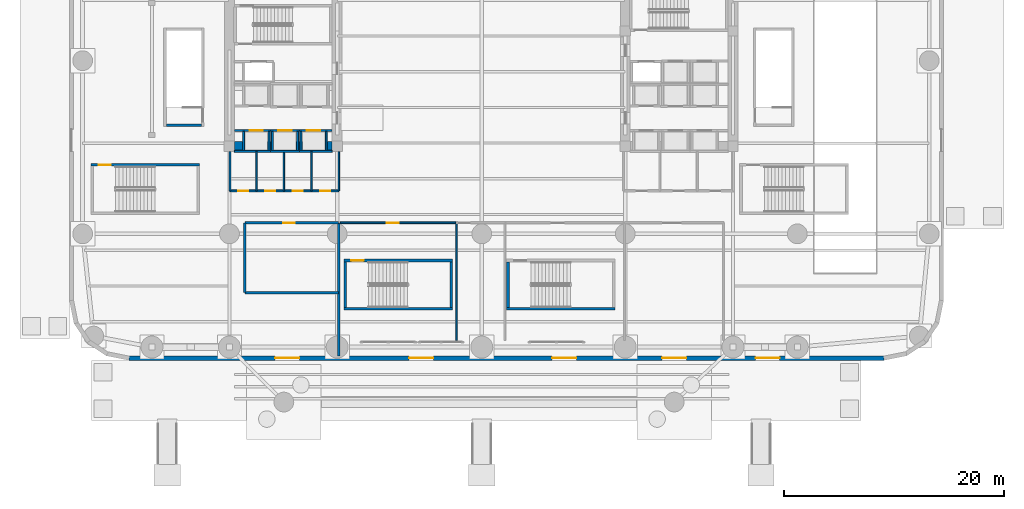
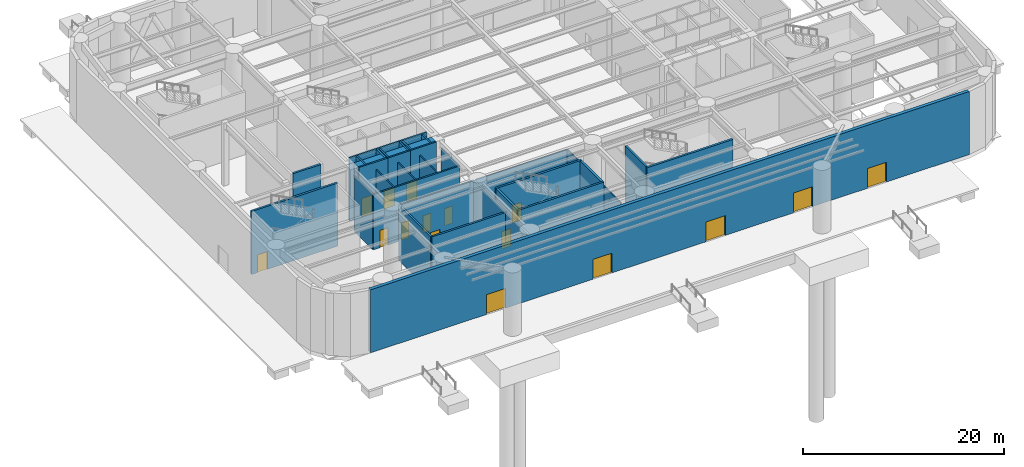
# One storey, part 9 of 25: 34 walls, 16 doors, 16 openings.
"""IFC4 building model written with IfcOpenShell, lengths in metres."""

from ifc_helpers import new_model, si_unit, direction, frame, frame_2d, origin, place, context, subcontext, project, spatial, rectangle, extrude, material, layer, layer_set, type_object, element, fill, save


model = new_model("IFC4")

# Units and contexts
model_context = context("Model", 3, precision=1e-05, world=origin(), true_north=direction((0.0, 1.0)))
body_context = subcontext(model_context, "Body", "Model", "MODEL_VIEW")
ifc_project = project(units=[si_unit("LENGTHUNIT", "METRE"), si_unit("AREAUNIT", "SQUARE_METRE"), si_unit("VOLUMEUNIT", "CUBIC_METRE"), si_unit("PLANEANGLEUNIT", "RADIAN"), si_unit("MASSUNIT", "GRAM", prefix="KILO")], contexts=[model_context])

# Site, building, storey
site_placement = place(None, origin())
site = spatial("IfcSite", under=ifc_project, at=site_placement, CompositionType="ELEMENT")
building_placement = place(site_placement, origin())
building = spatial("IfcBuilding", under=site, at=building_placement, Name="Kolvaren Arena Tower", CompositionType="ELEMENT")
storey_placement = place(building_placement, origin())
storey = spatial("IfcBuildingStorey", under=building, at=storey_placement, Name="L00", CompositionType="ELEMENT", Elevation=0.0)

# Wall, opening, door
ifc_material_1 = material(Name="Gypsum board acoustic assembly", Category="gypsum")
ifc_layer_1 = layer(ifc_material_1, 0.159912109375)
ifc_layer_set_1 = layer_set([ifc_layer_1], Name="Gypsum board acoustic assembly")
wall_type_1 = type_object("IfcWallType", Name="CORR-160", PredefinedType="PARTITIONING", material=ifc_layer_set_1)
wall_1_placement = place(storey_placement, frame((24.64990234375, 12.5, 0.0), z_axis=(0.0, 0.0, 1.0), x_axis=(1.0, 0.0, 0.0)))
wall_1 = element("IfcWall", 1, at=wall_1_placement, inside=storey, type_object=wall_type_1, Name="Interior Partition Wall (L00)", PredefinedType="PARTITIONING", context=body_context, shape_type="SweptSolid", body=[
    extrude(rectangle(XDim=10.5, YDim=0.159912109375, at=frame_2d((5.25, 0.0))), origin(), (0.0, 0.0, 1.0), 6.7099609375),
])
opening_1_placement = place(wall_1_placement, frame((4.199951171875, 0.0, 0.0)))
opening_1 = element("IfcOpeningElement", 2, at=opening_1_placement, cuts=wall_1, Name="Opening D03", PredefinedType="OPENING", context=body_context, shape_type="SweptSolid", body=[
    extrude(rectangle(XDim=1.10009765625, YDim=2.14990234375, at=frame_2d((0.550048828125, 1.074951171875))), frame((0.0, 0.08984375, 0.0), z_axis=(0.0, -1.0, 0.0), x_axis=(1.0, 0.0, 0.0)), (0.0, 0.0, 1.0), 0.179931640625),
])
ifc_material_2 = material(Name="Fire-rated steel exit stair door", Category="steel")
door_type_1 = type_object("IfcDoorType", Name="DOOR-ST-110", OperationType="NOTDEFINED", PredefinedType="DOOR", material=ifc_material_2)
door_1_placement = place(opening_1_placement, origin())
door_1 = element("IfcDoor", 3, at=door_1_placement, inside=storey, type_object=door_type_1, Name="South-West Exit Lobby Door", OperationType="SINGLE_SWING_RIGHT", OverallHeight=2.14990234375, OverallWidth=1.10009765625, PredefinedType="DOOR", context=body_context, shape_type="SweptSolid", body=[
    extrude(rectangle(XDim=1.10009765625, YDim=2.14990234375, at=frame_2d((0.550048828125, 1.074951171875))), frame((0.0, 0.02490234375, 0.0), z_axis=(0.0, -1.0, 0.0), x_axis=(1.0, 0.0, 0.0)), (0.0, 0.0, 1.0), 0.050048828125),
])
fill(opening_1, door_1)

# Wall
ifc_material_3 = material(Name="Concrete 80 MPa", Category="concrete")
ifc_layer_2 = layer(ifc_material_3, 0.89990234375)
ifc_layer_set_2 = layer_set([ifc_layer_2], Name="Concrete 80 MPa")
wall_type_2 = type_object("IfcWallType", Name="CWALL-900", PredefinedType="SHEAR", material=ifc_layer_set_2)
wall_2_placement = place(storey_placement, frame((15.0, 19.449951171875, -0.449951171875), z_axis=(0.0, 0.0, 1.0), x_axis=(1.0, 0.0, 0.0)))
element("IfcWall", 4, at=wall_2_placement, inside=storey, type_object=wall_type_2, Name="Core Shear Wall WC-SOUTH (L00)", PredefinedType="SHEAR", context=body_context, shape_type="SweptSolid", body=[
    extrude(rectangle(XDim=8.89990234375, YDim=0.89990234375, at=frame_2d((4.449951171875, 0.0))), origin(), (0.0, 0.0, 1.0), 8.099853515625),
])

# Wall, openings, doors
ifc_material_4 = material(Name="Precast concrete C50/60", Category="concrete")
ifc_layer_3 = layer(ifc_material_4, 0.3798828125)
ifc_layer_set_3 = layer_set([ifc_layer_3], Name="Precast concrete C50/60")
wall_type_3 = type_object("IfcWallType", Name="EXT-ARENA", PredefinedType="SOLIDWALL", material=ifc_layer_set_3)
wall_3_placement = place(storey_placement, frame((74.10009765625, 0.18994140625, 0.0), z_axis=(0.0, 0.0, 1.0), x_axis=(-1.0, 0.0, 0.0)))
wall_3 = element("IfcWall", 5, at=wall_3_placement, inside=storey, type_object=wall_type_3, Name="Exterior Precast Masonry-Frame Wall (L00)", PredefinedType="SOLIDWALL", context=body_context, shape_type="SweptSolid", body=[
    extrude(rectangle(XDim=68.7001953125, YDim=0.3798828125, at=frame_2d((34.35009765625, 0.0))), origin(), (0.0, 0.0, 1.0), 7.64990234375),
])
opening_2_placement = place(wall_3_placement, frame((53.199951171875, 0.0, 0.0)))
opening_2 = element("IfcOpeningElement", 6, at=opening_2_placement, cuts=wall_3, Name="Opening D01", PredefinedType="OPENING", context=body_context, shape_type="SweptSolid", body=[
    extrude(rectangle(XDim=2.199951171875, YDim=2.39990234375, at=frame_2d((1.10009765625, 1.199951171875))), frame((0.0, 0.199951171875, 0.0), z_axis=(0.0, -1.0, 0.0), x_axis=(1.0, 0.0, 0.0)), (0.0, 0.0, 1.0), 0.39990234375),
])
opening_3_placement = place(wall_3_placement, frame((41.0, 0.0, 0.0)))
opening_3 = element("IfcOpeningElement", 7, at=opening_3_placement, cuts=wall_3, Name="Opening D01", PredefinedType="OPENING", context=body_context, shape_type="SweptSolid", body=[
    extrude(rectangle(XDim=2.199951171875, YDim=2.39990234375, at=frame_2d((1.10009765625, 1.199951171875))), frame((0.0, 0.199951171875, 0.0), z_axis=(0.0, -1.0, 0.0), x_axis=(1.0, 0.0, 0.0)), (0.0, 0.0, 1.0), 0.39990234375),
])
opening_4_placement = place(wall_3_placement, frame((28.0, 0.0, 0.0)))
opening_4 = element("IfcOpeningElement", 8, at=opening_4_placement, cuts=wall_3, Name="Opening D01", PredefinedType="OPENING", context=body_context, shape_type="SweptSolid", body=[
    extrude(rectangle(XDim=2.199951171875, YDim=2.39990234375, at=frame_2d((1.10009765625, 1.199951171875))), frame((0.0, 0.199951171875, 0.0), z_axis=(0.0, -1.0, 0.0), x_axis=(1.0, 0.0, 0.0)), (0.0, 0.0, 1.0), 0.39990234375),
])
opening_5_placement = place(wall_3_placement, frame((18.0, 0.0, 0.0)))
opening_5 = element("IfcOpeningElement", 9, at=opening_5_placement, cuts=wall_3, Name="Opening D01", PredefinedType="OPENING", context=body_context, shape_type="SweptSolid", body=[
    extrude(rectangle(XDim=2.199951171875, YDim=2.39990234375, at=frame_2d((1.10009765625, 1.199951171875))), frame((0.0, 0.199951171875, 0.0), z_axis=(0.0, -1.0, 0.0), x_axis=(1.0, 0.0, 0.0)), (0.0, 0.0, 1.0), 0.39990234375),
])
opening_6_placement = place(wall_3_placement, frame((9.5, 0.0, 0.0)))
opening_6 = element("IfcOpeningElement", 10, at=opening_6_placement, cuts=wall_3, Name="Opening D01", PredefinedType="OPENING", context=body_context, shape_type="SweptSolid", body=[
    extrude(rectangle(XDim=2.199951171875, YDim=2.39990234375, at=frame_2d((1.10009765625, 1.199951171875))), frame((0.0, 0.199951171875, 0.0), z_axis=(0.0, -1.0, 0.0), x_axis=(1.0, 0.0, 0.0)), (0.0, 0.0, 1.0), 0.39990234375),
])
ifc_material_5 = material(Name="Aluminium thermally broken glazed entrance", Category="aluminium")
door_type_2 = type_object("IfcDoorType", Name="DOOR-EX-DBL", OperationType="DOUBLE_DOOR_SINGLE_SWING", PredefinedType="DOOR", material=ifc_material_5)
door_2_placement = place(opening_2_placement, origin())
door_2 = element("IfcDoor", 11, at=door_2_placement, inside=storey, type_object=door_type_2, Name="South Concourse Entrance and Final Exit Door S1", OperationType="DOUBLE_DOOR_SINGLE_SWING", OverallHeight=2.39990234375, OverallWidth=2.199951171875, PredefinedType="DOOR", context=body_context, shape_type="SweptSolid", body=[
    extrude(rectangle(XDim=2.199951171875, YDim=2.39990234375, at=frame_2d((1.10009765625, 1.199951171875))), frame((0.0, 0.02490234375, 0.0), z_axis=(0.0, -1.0, 0.0), x_axis=(1.0, 0.0, 0.0)), (0.0, 0.0, 1.0), 0.050048828125),
])
fill(opening_2, door_2)
door_3_placement = place(opening_3_placement, origin())
door_3 = element("IfcDoor", 12, at=door_3_placement, inside=storey, type_object=door_type_2, Name="South Concourse Entrance and Final Exit Door S2", OperationType="DOUBLE_DOOR_SINGLE_SWING", OverallHeight=2.39990234375, OverallWidth=2.199951171875, PredefinedType="DOOR", context=body_context, shape_type="SweptSolid", body=[
    extrude(rectangle(XDim=2.199951171875, YDim=2.39990234375, at=frame_2d((1.10009765625, 1.199951171875))), frame((0.0, 0.02490234375, 0.0), z_axis=(0.0, -1.0, 0.0), x_axis=(1.0, 0.0, 0.0)), (0.0, 0.0, 1.0), 0.050048828125),
])
fill(opening_3, door_3)
door_4_placement = place(opening_4_placement, origin())
door_4 = element("IfcDoor", 13, at=door_4_placement, inside=storey, type_object=door_type_2, Name="South Concourse Entrance and Final Exit Door S3", OperationType="DOUBLE_DOOR_SINGLE_SWING", OverallHeight=2.39990234375, OverallWidth=2.199951171875, PredefinedType="DOOR", context=body_context, shape_type="SweptSolid", body=[
    extrude(rectangle(XDim=2.199951171875, YDim=2.39990234375, at=frame_2d((1.10009765625, 1.199951171875))), frame((0.0, 0.02490234375, 0.0), z_axis=(0.0, -1.0, 0.0), x_axis=(1.0, 0.0, 0.0)), (0.0, 0.0, 1.0), 0.050048828125),
])
fill(opening_4, door_4)
door_5_placement = place(opening_5_placement, origin())
door_5 = element("IfcDoor", 14, at=door_5_placement, inside=storey, type_object=door_type_2, Name="South Concourse Entrance and Final Exit Door S4", OperationType="DOUBLE_DOOR_SINGLE_SWING", OverallHeight=2.39990234375, OverallWidth=2.199951171875, PredefinedType="DOOR", context=body_context, shape_type="SweptSolid", body=[
    extrude(rectangle(XDim=2.199951171875, YDim=2.39990234375, at=frame_2d((1.10009765625, 1.199951171875))), frame((0.0, 0.02490234375, 0.0), z_axis=(0.0, -1.0, 0.0), x_axis=(1.0, 0.0, 0.0)), (0.0, 0.0, 1.0), 0.050048828125),
])
fill(opening_5, door_5)
door_6_placement = place(opening_6_placement, origin())
door_6 = element("IfcDoor", 15, at=door_6_placement, inside=storey, type_object=door_type_2, Name="South Concourse Entrance and Final Exit Door S5", OperationType="DOUBLE_DOOR_SINGLE_SWING", OverallHeight=2.39990234375, OverallWidth=2.199951171875, PredefinedType="DOOR", context=body_context, shape_type="SweptSolid", body=[
    extrude(rectangle(XDim=2.199951171875, YDim=2.39990234375, at=frame_2d((1.10009765625, 1.199951171875))), frame((0.0, 0.02490234375, 0.0), z_axis=(0.0, -1.0, 0.0), x_axis=(1.0, 0.0, 0.0)), (0.0, 0.0, 1.0), 0.050048828125),
])
fill(opening_6, door_6)

# Wall
ifc_material_6 = material(Name="Gypsum board partition assembly", Category="gypsum")
ifc_layer_4 = layer(ifc_material_6, 0.135009765625)
ifc_layer_set_4 = layer_set([ifc_layer_4], Name="Gypsum board partition assembly")
wall_type_4 = type_object("IfcWallType", Name="PART-135", PredefinedType="PARTITIONING", material=ifc_layer_set_4)
wall_4_placement = place(storey_placement, frame((35.199951171875, 1.800048828125, 0.0), z_axis=(0.0, 0.0, 1.0), x_axis=(0.0, 1.0, 0.0)))
element("IfcWall", 16, at=wall_4_placement, inside=storey, type_object=wall_type_4, Name="Interior Partition Wall (L00)", PredefinedType="PARTITIONING", context=body_context, shape_type="SweptSolid", body=[
    extrude(rectangle(XDim=10.699951171875, YDim=0.135009765625, at=frame_2d((5.35009765625, 0.0))), origin(), (0.0, 0.0, 1.0), 6.7099609375),
])

# Wall, opening, door
ifc_material_7 = material(Name="Concrete 45 MPa", Category="concrete")
ifc_layer_5 = layer(ifc_material_7, 0.25)
ifc_layer_set_5 = layer_set([ifc_layer_5], Name="Concrete 45 MPa")
wall_type_5 = type_object("IfcWallType", Name="SHAFT-250", PredefinedType="SOLIDWALL", material=ifc_layer_set_5)
wall_5_placement = place(storey_placement, frame((1.9599609375, 17.77001953125, 0.0), z_axis=(0.0, 0.0, 1.0), x_axis=(1.0, 0.0, 0.0)))
wall_5 = element("IfcWall", 17, at=wall_5_placement, inside=storey, type_object=wall_type_5, Name="Stair ST-A1 Rated Enclosure Wall (L00)", PredefinedType="SOLIDWALL", context=body_context, shape_type="SweptSolid", body=[
    extrude(rectangle(XDim=9.880126953125, YDim=0.239990234375, at=frame_2d((4.93994140625, 0.0))), origin(), (0.0, 0.0, 1.0), 7.64990234375),
])
opening_7_placement = place(wall_5_placement, frame((0.68994140625, 0.0, 0.0)))
opening_7 = element("IfcOpeningElement", 18, at=opening_7_placement, cuts=wall_5, Name="Opening D03", PredefinedType="OPENING", context=body_context, shape_type="SweptSolid", body=[
    extrude(rectangle(XDim=1.10009765625, YDim=2.14990234375, at=frame_2d((0.550048828125, 1.074951171875))), frame((0.0, 0.1298828125, 0.0), z_axis=(0.0, -1.0, 0.0), x_axis=(1.0, 0.0, 0.0)), (0.0, 0.0, 1.0), 0.260009765625),
])
door_7_placement = place(opening_7_placement, origin())
door_7 = element("IfcDoor", 19, at=door_7_placement, inside=storey, type_object=door_type_1, Name="Exit Stair ST-A1 Fire Door (L00)", OperationType="SINGLE_SWING_LEFT", OverallHeight=2.14990234375, OverallWidth=1.10009765625, PredefinedType="DOOR", context=body_context, shape_type="SweptSolid", body=[
    extrude(rectangle(XDim=1.10009765625, YDim=2.14990234375, at=frame_2d((0.550048828125, 1.074951171875))), frame((0.0, 0.02490234375, 0.0), z_axis=(0.0, -1.0, 0.0), x_axis=(1.0, 0.0, 0.0)), (0.0, 0.0, 1.0), 0.050048828125),
])
fill(opening_7, door_7)

wall_6_placement = place(storey_placement, frame((24.9599609375, 9.070068359375, 0.0), z_axis=(0.0, 0.0, 1.0), x_axis=(1.0, 0.0, 0.0)))
wall_6 = element("IfcWall", 20, at=wall_6_placement, inside=storey, type_object=wall_type_5, Name="Stair ST-A2 Rated Enclosure Wall (L00)", PredefinedType="SOLIDWALL", context=body_context, shape_type="SweptSolid", body=[
    extrude(rectangle(XDim=9.880126953125, YDim=0.239990234375, at=frame_2d((4.93994140625, 0.0))), origin(), (0.0, 0.0, 1.0), 7.64990234375),
])
opening_8_placement = place(wall_6_placement, frame((0.68994140625, 0.0, 0.0)))
opening_8 = element("IfcOpeningElement", 21, at=opening_8_placement, cuts=wall_6, Name="Opening D03", PredefinedType="OPENING", context=body_context, shape_type="SweptSolid", body=[
    extrude(rectangle(XDim=1.10009765625, YDim=2.14990234375, at=frame_2d((0.550048828125, 1.074951171875))), frame((0.0, 0.1298828125, 0.0), z_axis=(0.0, -1.0, 0.0), x_axis=(1.0, 0.0, 0.0)), (0.0, 0.0, 1.0), 0.260009765625),
])
door_8_placement = place(opening_8_placement, origin())
door_8 = element("IfcDoor", 22, at=door_8_placement, inside=storey, type_object=door_type_1, Name="Exit Stair ST-A2 Fire Door (L00)", OperationType="SINGLE_SWING_LEFT", OverallHeight=2.14990234375, OverallWidth=1.10009765625, PredefinedType="DOOR", context=body_context, shape_type="SweptSolid", body=[
    extrude(rectangle(XDim=1.10009765625, YDim=2.14990234375, at=frame_2d((0.550048828125, 1.074951171875))), frame((0.0, 0.02490234375, 0.0), z_axis=(0.0, -1.0, 0.0), x_axis=(1.0, 0.0, 0.0)), (0.0, 0.0, 1.0), 0.050048828125),
])
fill(opening_8, door_8)

# Walls
wall_7_placement = place(storey_placement, frame((24.9599609375, 4.679931640625, 0.0), z_axis=(0.0, 0.0, 1.0), x_axis=(1.0, 0.0, 0.0)))
element("IfcWall", 23, at=wall_7_placement, inside=storey, type_object=wall_type_5, Name="Stair ST-A2 Rear Shaft Wall (L00)", PredefinedType="SOLIDWALL", context=body_context, shape_type="SweptSolid", body=[
    extrude(rectangle(XDim=9.880126953125, YDim=0.239990234375, at=frame_2d((4.93994140625, 0.0))), origin(), (0.0, 0.0, 1.0), 7.64990234375),
])
for number, where, z_axis, x_axis, name in (
    (24, (25.080078125, 4.800048828125, 0.0), (0.0, 0.0, 1.0), (0.0, 1.0, 0.0), "Stair ST-A2 West Shaft Wall (L00)"),
    (25, (34.719970703125, 4.800048828125, 0.0), (0.0, 0.0, 1.0), (0.0, 1.0, 0.0), "Stair ST-A2 East Shaft Wall (L00)"),
):
    element("IfcWall", number, at=place(storey_placement, frame(where, z_axis=z_axis, x_axis=x_axis)), inside=storey, type_object=wall_type_5, Name=name, PredefinedType="SOLIDWALL", context=body_context, shape_type="SweptSolid", body=[
        extrude(rectangle(XDim=4.14990234375, YDim=0.239990234375, at=frame_2d((2.074951171875, 0.0))), origin(), (0.0, 0.0, 1.0), 7.64990234375),
    ])
wall_8_placement = place(storey_placement, frame((39.760009765625, 4.679931640625, 0.0), z_axis=(0.0, 0.0, 1.0), x_axis=(1.0, 0.0, 0.0)))
element("IfcWall", 26, at=wall_8_placement, inside=storey, type_object=wall_type_5, Name="Stair ST-A3 Rear Shaft Wall (L00)", PredefinedType="SOLIDWALL", context=body_context, shape_type="SweptSolid", body=[
    extrude(rectangle(XDim=9.8798828125, YDim=0.239990234375, at=frame_2d((4.93994140625, 0.0))), origin(), (0.0, 0.0, 1.0), 7.64990234375),
])
wall_9_placement = place(storey_placement, frame((39.8798828125, 4.800048828125, 0.0), z_axis=(0.0, 0.0, 1.0), x_axis=(0.0, 1.0, 0.0)))
element("IfcWall", 27, at=wall_9_placement, inside=storey, type_object=wall_type_5, Name="Stair ST-A3 West Shaft Wall (L00)", PredefinedType="SOLIDWALL", context=body_context, shape_type="SweptSolid", body=[
    extrude(rectangle(XDim=4.14990234375, YDim=0.239990234375, at=frame_2d((2.074951171875, 0.0))), origin(), (0.0, 0.0, 1.0), 7.64990234375),
])
wall_10_placement = place(storey_placement, frame((8.81005859375, 21.3798828125, 0.0), z_axis=(0.0, 0.0, 1.0), x_axis=(1.0, 0.0, 0.0)))
element("IfcWall", 28, at=wall_10_placement, inside=storey, type_object=wall_type_5, Name="Stair ST-B1 South Shaft Wall (L00)", PredefinedType="SOLIDWALL", context=body_context, shape_type="SweptSolid", body=[
    extrude(rectangle(XDim=3.18994140625, YDim=0.239990234375, at=frame_2d((1.594970703125, 0.0))), origin(), (0.0, 0.0, 1.0), 7.64990234375),
])

# Wall, opening, door
wall_11_placement = place(storey_placement, frame((15.0, 20.905029296875, 0.0), z_axis=(0.0, 0.0, 1.0), x_axis=(1.0, 0.0, 0.0)))
wall_11 = element("IfcWall", 29, at=wall_11_placement, inside=storey, type_object=wall_type_5, Name="Core Shaft Wall (L00)", PredefinedType="SOLIDWALL", context=body_context, shape_type="SweptSolid", body=[
    extrude(rectangle(XDim=3.300048828125, YDim=0.179931640625, at=frame_2d((1.64990234375, 0.0))), origin(), (0.0, 0.0, 1.0), 7.64990234375),
])
opening_9_placement = place(wall_11_placement, frame((1.39990234375, 0.0, 0.0)))
opening_9 = element("IfcOpeningElement", 30, at=opening_9_placement, cuts=wall_11, Name="Opening LD1", PredefinedType="OPENING", context=body_context, shape_type="SweptSolid", body=[
    extrude(rectangle(XDim=1.199951171875, YDim=2.199951171875, at=frame_2d((0.60009765625, 1.10009765625))), frame((0.0, 0.099853515625, 0.0), z_axis=(0.0, -1.0, 0.0), x_axis=(1.0, 0.0, 0.0)), (0.0, 0.0, 1.0), 0.199951171875),
])
ifc_material_8 = material(Name="Stainless steel passenger lift landing door", Category="steel")
door_type_3 = type_object("IfcDoorType", Name="DOOR-LD-120", OperationType="DOUBLE_DOOR_SLIDING", PredefinedType="DOOR", material=ifc_material_8)
door_9_placement = place(opening_9_placement, origin())
door_9 = element("IfcDoor", 31, at=door_9_placement, inside=storey, type_object=door_type_3, Name="Lift EL-MR1 Landing Door (L00)", OperationType="DOUBLE_DOOR_SLIDING", OverallHeight=2.199951171875, OverallWidth=1.199951171875, PredefinedType="DOOR", context=body_context, shape_type="SweptSolid", body=[
    extrude(rectangle(XDim=1.199951171875, YDim=2.199951171875, at=frame_2d((0.60009765625, 1.10009765625))), frame((0.0, 0.02490234375, 0.0), z_axis=(0.0, -1.0, 0.0), x_axis=(1.0, 0.0, 0.0)), (0.0, 0.0, 1.0), 0.050048828125),
])
fill(opening_9, door_9)

# Walls
wall_12_placement = place(storey_placement, frame((15.0, 18.9951171875, 0.0), z_axis=(0.0, 0.0, 1.0), x_axis=(1.0, 0.0, 0.0)))
element("IfcWall", 32, at=wall_12_placement, inside=storey, type_object=wall_type_5, Name="Core Shaft Wall (L00)", PredefinedType="SOLIDWALL", context=body_context, shape_type="SweptSolid", body=[
    extrude(rectangle(XDim=3.300048828125, YDim=0.179931640625, at=frame_2d((1.64990234375, 0.0))), origin(), (0.0, 0.0, 1.0), 7.64990234375),
])
for number, where, z_axis, x_axis, name in (
    (33, (15.844970703125, 19.0849609375, 0.0), (0.0, 0.0, 1.0), (0.0, 1.0, 0.0), "Core Shaft Wall (L00)"),
    (34, (18.155029296875, 19.0849609375, 0.0), (0.0, 0.0, 1.0), (0.0, 1.0, 0.0), "Core Shaft Wall (L00)"),
):
    element("IfcWall", number, at=place(storey_placement, frame(where, z_axis=z_axis, x_axis=x_axis)), inside=storey, type_object=wall_type_5, Name=name, PredefinedType="SOLIDWALL", context=body_context, shape_type="SweptSolid", body=[
        extrude(rectangle(XDim=1.72998046875, YDim=0.179931640625, at=frame_2d((0.864990234375, 0.0))), origin(), (0.0, 0.0, 1.0), 7.64990234375),
    ])

# Wall, opening, door
wall_13_placement = place(storey_placement, frame((18.300048828125, 20.905029296875, 0.0), z_axis=(0.0, 0.0, 1.0), x_axis=(1.0, 0.0, 0.0)))
wall_13 = element("IfcWall", 35, at=wall_13_placement, inside=storey, type_object=wall_type_5, Name="Core Shaft Wall (L00)", PredefinedType="SOLIDWALL", context=body_context, shape_type="SweptSolid", body=[
    extrude(rectangle(XDim=2.599853515625, YDim=0.179931640625, at=frame_2d((1.2998046875, 0.0))), origin(), (0.0, 0.0, 1.0), 7.64990234375),
])
opening_10_placement = place(wall_13_placement, frame((0.699951171875, 0.0, 0.0)))
opening_10 = element("IfcOpeningElement", 36, at=opening_10_placement, cuts=wall_13, Name="Opening LD1", PredefinedType="OPENING", context=body_context, shape_type="SweptSolid", body=[
    extrude(rectangle(XDim=1.199951171875, YDim=2.199951171875, at=frame_2d((0.60009765625, 1.10009765625))), frame((0.0, 0.099853515625, 0.0), z_axis=(0.0, -1.0, 0.0), x_axis=(1.0, 0.0, 0.0)), (0.0, 0.0, 1.0), 0.199951171875),
])
door_10_placement = place(opening_10_placement, origin())
door_10 = element("IfcDoor", 37, at=door_10_placement, inside=storey, type_object=door_type_3, Name="Lift EL-MR2 Landing Door (L00)", OperationType="DOUBLE_DOOR_SLIDING", OverallHeight=2.199951171875, OverallWidth=1.199951171875, PredefinedType="DOOR", context=body_context, shape_type="SweptSolid", body=[
    extrude(rectangle(XDim=1.199951171875, YDim=2.199951171875, at=frame_2d((0.60009765625, 1.10009765625))), frame((0.0, 0.02490234375, 0.0), z_axis=(0.0, -1.0, 0.0), x_axis=(1.0, 0.0, 0.0)), (0.0, 0.0, 1.0), 0.050048828125),
])
fill(opening_10, door_10)

# Walls
wall_14_placement = place(storey_placement, frame((18.300048828125, 18.9951171875, 0.0), z_axis=(0.0, 0.0, 1.0), x_axis=(1.0, 0.0, 0.0)))
element("IfcWall", 38, at=wall_14_placement, inside=storey, type_object=wall_type_5, Name="Core Shaft Wall (L00)", PredefinedType="SOLIDWALL", context=body_context, shape_type="SweptSolid", body=[
    extrude(rectangle(XDim=2.599853515625, YDim=0.179931640625, at=frame_2d((1.2998046875, 0.0))), origin(), (0.0, 0.0, 1.0), 7.64990234375),
])
for number, where, z_axis, x_axis, name in (
    (39, (18.445068359375, 19.0849609375, 0.0), (0.0, 0.0, 1.0), (0.0, 1.0, 0.0), "Core Shaft Wall (L00)"),
    (40, (20.7548828125, 19.0849609375, 0.0), (0.0, 0.0, 1.0), (0.0, 1.0, 0.0), "Core Shaft Wall (L00)"),
):
    element("IfcWall", number, at=place(storey_placement, frame(where, z_axis=z_axis, x_axis=x_axis)), inside=storey, type_object=wall_type_5, Name=name, PredefinedType="SOLIDWALL", context=body_context, shape_type="SweptSolid", body=[
        extrude(rectangle(XDim=1.72998046875, YDim=0.179931640625, at=frame_2d((0.864990234375, 0.0))), origin(), (0.0, 0.0, 1.0), 7.64990234375),
    ])

# Wall, opening, door
wall_15_placement = place(storey_placement, frame((20.89990234375, 20.905029296875, 0.0), z_axis=(0.0, 0.0, 1.0), x_axis=(1.0, 0.0, 0.0)))
wall_15 = element("IfcWall", 41, at=wall_15_placement, inside=storey, type_object=wall_type_5, Name="Core Shaft Wall (L00)", PredefinedType="SOLIDWALL", context=body_context, shape_type="SweptSolid", body=[
    extrude(rectangle(XDim=3.0, YDim=0.179931640625, at=frame_2d((1.5, 0.0))), origin(), (0.0, 0.0, 1.0), 7.64990234375),
])
opening_11_placement = place(wall_15_placement, frame((0.699951171875, 0.0, 0.0)))
opening_11 = element("IfcOpeningElement", 42, at=opening_11_placement, cuts=wall_15, Name="Opening LD1", PredefinedType="OPENING", context=body_context, shape_type="SweptSolid", body=[
    extrude(rectangle(XDim=1.199951171875, YDim=2.199951171875, at=frame_2d((0.60009765625, 1.10009765625))), frame((0.0, 0.099853515625, 0.0), z_axis=(0.0, -1.0, 0.0), x_axis=(1.0, 0.0, 0.0)), (0.0, 0.0, 1.0), 0.199951171875),
])
door_11_placement = place(opening_11_placement, origin())
door_11 = element("IfcDoor", 43, at=door_11_placement, inside=storey, type_object=door_type_3, Name="Lift EL-MR3 Landing Door (L00)", OperationType="DOUBLE_DOOR_SLIDING", OverallHeight=2.199951171875, OverallWidth=1.199951171875, PredefinedType="DOOR", context=body_context, shape_type="SweptSolid", body=[
    extrude(rectangle(XDim=1.199951171875, YDim=2.199951171875, at=frame_2d((0.60009765625, 1.10009765625))), frame((0.0, 0.02490234375, 0.0), z_axis=(0.0, -1.0, 0.0), x_axis=(1.0, 0.0, 0.0)), (0.0, 0.0, 1.0), 0.050048828125),
])
fill(opening_11, door_11)

# Walls
wall_16_placement = place(storey_placement, frame((20.89990234375, 18.9951171875, 0.0), z_axis=(0.0, 0.0, 1.0), x_axis=(1.0, 0.0, 0.0)))
element("IfcWall", 44, at=wall_16_placement, inside=storey, type_object=wall_type_5, Name="Core Shaft Wall (L00)", PredefinedType="SOLIDWALL", context=body_context, shape_type="SweptSolid", body=[
    extrude(rectangle(XDim=3.0, YDim=0.179931640625, at=frame_2d((1.5, 0.0))), origin(), (0.0, 0.0, 1.0), 7.64990234375),
])
for number, where, z_axis, x_axis, name in (
    (45, (21.044921875, 19.0849609375, 0.0), (0.0, 0.0, 1.0), (0.0, 1.0, 0.0), "Core Shaft Wall (L00)"),
    (46, (23.35498046875, 19.0849609375, 0.0), (0.0, 0.0, 1.0), (0.0, 1.0, 0.0), "Core Shaft Wall (L00)"),
):
    element("IfcWall", number, at=place(storey_placement, frame(where, z_axis=z_axis, x_axis=x_axis)), inside=storey, type_object=wall_type_5, Name=name, PredefinedType="SOLIDWALL", context=body_context, shape_type="SweptSolid", body=[
        extrude(rectangle(XDim=1.72998046875, YDim=0.179931640625, at=frame_2d((0.864990234375, 0.0))), origin(), (0.0, 0.0, 1.0), 7.64990234375),
    ])

# Wall, opening, door
wall_17_placement = place(storey_placement, frame((15.949951171875, 12.5, 0.0), z_axis=(0.0, 0.0, 1.0), x_axis=(1.0, 0.0, 0.0)))
wall_17 = element("IfcWall", 47, at=wall_17_placement, inside=storey, type_object=wall_type_5, Name="Interior Partition Wall (L00)", PredefinedType="SOLIDWALL", context=body_context, shape_type="SweptSolid", body=[
    extrude(rectangle(XDim=8.530029296875, YDim=0.219970703125, at=frame_2d((4.26513671875, 0.0))), origin(), (0.0, 0.0, 1.0), 6.7099609375),
])
opening_12_placement = place(wall_17_placement, frame((3.5, 0.0, 0.0)))
opening_12 = element("IfcOpeningElement", 48, at=opening_12_placement, cuts=wall_17, Name="Opening D04", PredefinedType="OPENING", context=body_context, shape_type="SweptSolid", body=[
    extrude(rectangle(XDim=1.050048828125, YDim=2.14990234375, at=frame_2d((0.52490234375, 1.074951171875))), frame((0.0, 0.119873046875, 0.0), z_axis=(0.0, -1.0, 0.0), x_axis=(1.0, 0.0, 0.0)), (0.0, 0.0, 1.0), 0.239990234375),
])
ifc_material_9 = material(Name="Fire-rated steel lobby door", Category="steel")
door_type_4 = type_object("IfcDoorType", Name="DOOR-FF-105", OperationType="NOTDEFINED", PredefinedType="DOOR", material=ifc_material_9)
door_12_placement = place(opening_12_placement, origin())
door_12 = element("IfcDoor", 49, at=door_12_placement, inside=storey, type_object=door_type_4, Name="CACF Command Room Fire Door", OperationType="SINGLE_SWING_LEFT", OverallHeight=2.14990234375, OverallWidth=1.050048828125, PredefinedType="DOOR", context=body_context, shape_type="SweptSolid", body=[
    extrude(rectangle(XDim=1.050048828125, YDim=2.14990234375, at=frame_2d((0.52490234375, 1.074951171875))), frame((0.0, 0.02490234375, 0.0), z_axis=(0.0, -1.0, 0.0), x_axis=(1.0, 0.0, 0.0)), (0.0, 0.0, 1.0), 0.050048828125),
])
fill(opening_12, door_12)

# Walls
wall_18_placement = place(storey_placement, frame((15.949951171875, 6.14990234375, 0.0), z_axis=(0.0, 0.0, 1.0), x_axis=(1.0, 0.0, 0.0)))
element("IfcWall", 50, at=wall_18_placement, inside=storey, type_object=wall_type_5, Name="Interior Partition Wall (L00)", PredefinedType="SOLIDWALL", context=body_context, shape_type="SweptSolid", body=[
    extrude(rectangle(XDim=8.530029296875, YDim=0.219970703125, at=frame_2d((4.26513671875, 0.0))), origin(), (0.0, 0.0, 1.0), 6.7099609375),
])
wall_19_placement = place(storey_placement, frame((15.949951171875, 6.14990234375, 0.0), z_axis=(0.0, 0.0, 1.0), x_axis=(0.0, 1.0, 0.0)))
element("IfcWall", 51, at=wall_19_placement, inside=storey, type_object=wall_type_5, Name="Interior Partition Wall (L00)", PredefinedType="SOLIDWALL", context=body_context, shape_type="SweptSolid", body=[
    extrude(rectangle(XDim=6.35009765625, YDim=0.219970703125, at=frame_2d((3.175048828125, 0.0))), origin(), (0.0, 0.0, 1.0), 6.7099609375),
])
wall_20_placement = place(storey_placement, frame((24.47998046875, 0.39990234375, 0.0), z_axis=(0.0, 0.0, 1.0), x_axis=(0.0, 1.0, 0.0)))
element("IfcWall", 52, at=wall_20_placement, inside=storey, type_object=wall_type_5, Name="Interior Partition Wall (L00)", PredefinedType="SOLIDWALL", context=body_context, shape_type="SweptSolid", body=[
    extrude(rectangle(XDim=12.10009765625, YDim=0.219970703125, at=frame_2d((6.050048828125, 0.0))), origin(), (0.0, 0.0, 1.0), 6.7099609375),
])
ifc_material_10 = material(Name="Moisture-resistant gypsum assembly", Category="gypsum")
ifc_layer_6 = layer(ifc_material_10, 0.14990234375)
ifc_layer_set_6 = layer_set([ifc_layer_6], Name="Moisture-resistant gypsum assembly")
wall_type_6 = type_object("IfcWallType", Name="WETW-150", PredefinedType="PARTITIONING", material=ifc_layer_set_6)
for number, where, z_axis, x_axis, name in (
    (53, (17.0, 15.39990234375, 0.0), (0.0, 0.0, 1.0), (0.0, 1.0, 0.0), "Interior Partition Wall (L00)"),
    (54, (19.5, 15.39990234375, 0.0), (0.0, 0.0, 1.0), (0.0, 1.0, 0.0), "Interior Partition Wall (L00)"),
    (55, (22.0, 15.39990234375, 0.0), (0.0, 0.0, 1.0), (0.0, 1.0, 0.0), "Interior Partition Wall (L00)"),
):
    element("IfcWall", number, at=place(storey_placement, frame(where, z_axis=z_axis, x_axis=x_axis)), inside=storey, type_object=wall_type_6, Name=name, PredefinedType="PARTITIONING", context=body_context, shape_type="SweptSolid", body=[
        extrude(rectangle(XDim=3.580078125, YDim=0.14990234375, at=frame_2d((1.7900390625, 0.0))), origin(), (0.0, 0.0, 1.0), 6.7099609375),
    ])

# Wall, openings, doors
wall_21_placement = place(storey_placement, frame((14.60009765625, 15.39990234375, 0.0), z_axis=(0.0, 0.0, 1.0), x_axis=(1.0, 0.0, 0.0)))
wall_21 = element("IfcWall", 56, at=wall_21_placement, inside=storey, type_object=wall_type_6, Name="Interior Partition Wall (L00)", PredefinedType="PARTITIONING", context=body_context, shape_type="SweptSolid", body=[
    extrude(rectangle(XDim=9.89990234375, YDim=0.179931640625, at=frame_2d((4.949951171875, 0.0))), origin(), (0.0, 0.0, 1.0), 6.7099609375),
])
opening_13_placement = place(wall_21_placement, frame((0.739990234375, 0.0, 0.0)))
opening_13 = element("IfcOpeningElement", 57, at=opening_13_placement, cuts=wall_21, Name="Opening D07", PredefinedType="OPENING", context=body_context, shape_type="SweptSolid", body=[
    extrude(rectangle(XDim=0.919921875, YDim=2.10009765625, at=frame_2d((0.4599609375, 1.050048828125))), frame((0.0, 0.099853515625, 0.0), z_axis=(0.0, -1.0, 0.0), x_axis=(1.0, 0.0, 0.0)), (0.0, 0.0, 1.0), 0.199951171875),
])
opening_14_placement = place(wall_21_placement, frame((3.18994140625, 0.0, 0.0)))
opening_14 = element("IfcOpeningElement", 58, at=opening_14_placement, cuts=wall_21, Name="Opening D07", PredefinedType="OPENING", context=body_context, shape_type="SweptSolid", body=[
    extrude(rectangle(XDim=0.919921875, YDim=2.10009765625, at=frame_2d((0.4599609375, 1.050048828125))), frame((0.0, 0.099853515625, 0.0), z_axis=(0.0, -1.0, 0.0), x_axis=(1.0, 0.0, 0.0)), (0.0, 0.0, 1.0), 0.199951171875),
])
opening_15_placement = place(wall_21_placement, frame((5.68994140625, 0.0, 0.0)))
opening_15 = element("IfcOpeningElement", 59, at=opening_15_placement, cuts=wall_21, Name="Opening D07", PredefinedType="OPENING", context=body_context, shape_type="SweptSolid", body=[
    extrude(rectangle(XDim=0.919921875, YDim=2.10009765625, at=frame_2d((0.4599609375, 1.050048828125))), frame((0.0, 0.099853515625, 0.0), z_axis=(0.0, -1.0, 0.0), x_axis=(1.0, 0.0, 0.0)), (0.0, 0.0, 1.0), 0.199951171875),
])
opening_16_placement = place(wall_21_placement, frame((8.18994140625, 0.0, 0.0)))
opening_16 = element("IfcOpeningElement", 60, at=opening_16_placement, cuts=wall_21, Name="Opening D07", PredefinedType="OPENING", context=body_context, shape_type="SweptSolid", body=[
    extrude(rectangle(XDim=0.919921875, YDim=2.10009765625, at=frame_2d((0.4599609375, 1.050048828125))), frame((0.0, 0.099853515625, 0.0), z_axis=(0.0, -1.0, 0.0), x_axis=(1.0, 0.0, 0.0)), (0.0, 0.0, 1.0), 0.199951171875),
])
ifc_material_11 = material(Name="Laminate universal washroom door", Category="wood")
door_type_5 = type_object("IfcDoorType", Name="DOOR-WC-092", OperationType="NOTDEFINED", PredefinedType="DOOR", material=ifc_material_11)
door_13_placement = place(opening_13_placement, origin())
door_13 = element("IfcDoor", 61, at=door_13_placement, inside=storey, type_object=door_type_5, Name="Cleaner and Janitor Store Door (L00)", OperationType="SINGLE_SWING_RIGHT", OverallHeight=2.10009765625, OverallWidth=0.919921875, PredefinedType="DOOR", context=body_context, shape_type="SweptSolid", body=[
    extrude(rectangle(XDim=0.919921875, YDim=2.10009765625, at=frame_2d((0.4599609375, 1.050048828125))), frame((0.0, 0.02490234375, 0.0), z_axis=(0.0, -1.0, 0.0), x_axis=(1.0, 0.0, 0.0)), (0.0, 0.0, 1.0), 0.050048828125),
])
fill(opening_13, door_13)
door_14_placement = place(opening_14_placement, origin())
door_14 = element("IfcDoor", 62, at=door_14_placement, inside=storey, type_object=door_type_5, Name="Universal Barrier-Free Washroom Door (L00)", OperationType="SINGLE_SWING_LEFT", OverallHeight=2.10009765625, OverallWidth=0.919921875, PredefinedType="DOOR", context=body_context, shape_type="SweptSolid", body=[
    extrude(rectangle(XDim=0.919921875, YDim=2.10009765625, at=frame_2d((0.4599609375, 1.050048828125))), frame((0.0, 0.02490234375, 0.0), z_axis=(0.0, -1.0, 0.0), x_axis=(1.0, 0.0, 0.0)), (0.0, 0.0, 1.0), 0.050048828125),
])
fill(opening_14, door_14)
door_15_placement = place(opening_15_placement, origin())
door_15 = element("IfcDoor", 63, at=door_15_placement, inside=storey, type_object=door_type_5, Name="Women Restroom Door (L00)", OperationType="SINGLE_SWING_RIGHT", OverallHeight=2.10009765625, OverallWidth=0.919921875, PredefinedType="DOOR", context=body_context, shape_type="SweptSolid", body=[
    extrude(rectangle(XDim=0.919921875, YDim=2.10009765625, at=frame_2d((0.4599609375, 1.050048828125))), frame((0.0, 0.02490234375, 0.0), z_axis=(0.0, -1.0, 0.0), x_axis=(1.0, 0.0, 0.0)), (0.0, 0.0, 1.0), 0.050048828125),
])
fill(opening_15, door_15)
door_16_placement = place(opening_16_placement, origin())
door_16 = element("IfcDoor", 64, at=door_16_placement, inside=storey, type_object=door_type_5, Name="Men Restroom Door (L00)", OperationType="SINGLE_SWING_LEFT", OverallHeight=2.10009765625, OverallWidth=0.919921875, PredefinedType="DOOR", context=body_context, shape_type="SweptSolid", body=[
    extrude(rectangle(XDim=0.919921875, YDim=2.10009765625, at=frame_2d((0.4599609375, 1.050048828125))), frame((0.0, 0.02490234375, 0.0), z_axis=(0.0, -1.0, 0.0), x_axis=(1.0, 0.0, 0.0)), (0.0, 0.0, 1.0), 0.050048828125),
])
fill(opening_16, door_16)

# Walls
for number, where, z_axis, x_axis, name in (
    (65, (14.60009765625, 15.39990234375, 0.0), (0.0, 0.0, 1.0), (0.0, 1.0, 0.0), "Interior Partition Wall (L00)"),
    (66, (24.5, 15.39990234375, 0.0), (0.0, 0.0, 1.0), (0.0, 1.0, 0.0), "Interior Partition Wall (L00)"),
):
    element("IfcWall", number, at=place(storey_placement, frame(where, z_axis=z_axis, x_axis=x_axis)), inside=storey, type_object=wall_type_6, Name=name, PredefinedType="PARTITIONING", context=body_context, shape_type="SweptSolid", body=[
        extrude(rectangle(XDim=3.580078125, YDim=0.14990234375, at=frame_2d((1.7900390625, 0.0))), origin(), (0.0, 0.0, 1.0), 6.7099609375),
    ])

save(model, "model.ifc")
